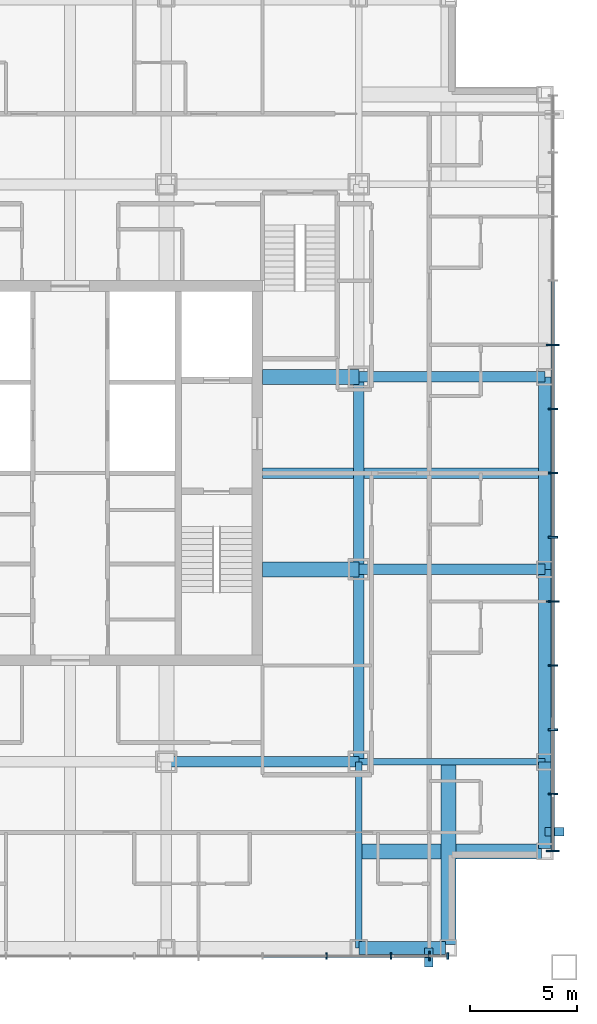
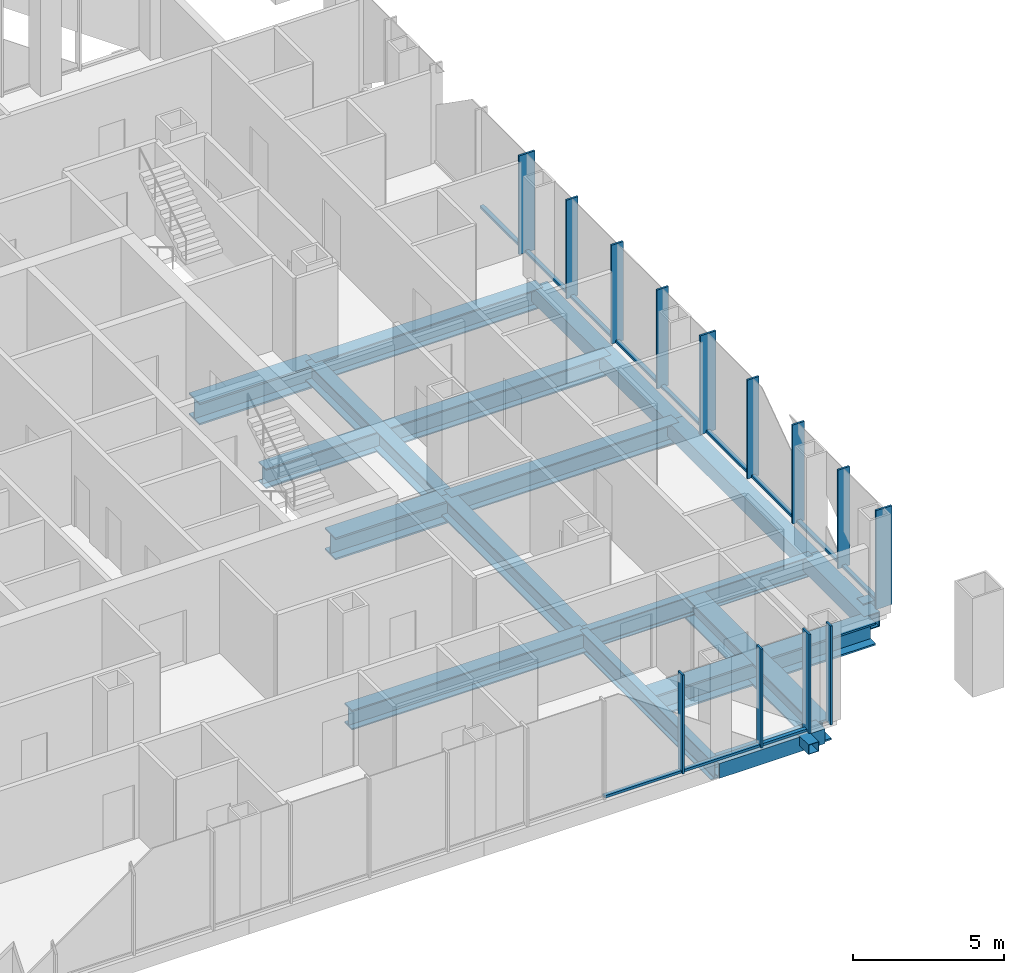
# One storey, part 3 of 15: 27 members, 16 beams, 2 elements without a shape of their own.
"""IFC4 building model written with IfcOpenShell, lengths in metres."""

from ifc_helpers import new_model, si_unit, direction, frame, origin, origin_2d, place, context, subcontext, project, spatial, rectangle, hollow_rectangle, i_section, extrude, material, layer, layer_set, material_profile, profile_set, type_object, element, aggregate, save


model = new_model("IFC4")

# Units and contexts
model_context = context("Model", 3, precision=1e-05, world=origin(), true_north=direction((0.0, 1.0)))
body_context = subcontext(model_context, "Body", "Model", "MODEL_VIEW")
ifc_project = project(units=[si_unit("LENGTHUNIT", "METRE"), si_unit("AREAUNIT", "SQUARE_METRE"), si_unit("VOLUMEUNIT", "CUBIC_METRE"), si_unit("PLANEANGLEUNIT", "RADIAN"), si_unit("MASSUNIT", "GRAM", prefix="KILO")], contexts=[model_context])

# Site, building, storey
site_placement = place(None, origin())
site = spatial("IfcSite", under=ifc_project, at=site_placement, CompositionType="ELEMENT")
building_placement = place(site_placement, origin())
building = spatial("IfcBuilding", under=site, at=building_placement, Name="Malebo Sky Hospital", CompositionType="ELEMENT")
storey_placement = place(building_placement, frame((0.0, 0.0, 181.0)))
storey = spatial("IfcBuildingStorey", under=building, at=storey_placement, Name="L43", CompositionType="ELEMENT", Elevation=181.0)

# Curtain wall, members
ifc_material_1 = material(Name="Anodised aluminium, natural silver", Category="aluminium")
ifc_layer_1 = layer(ifc_material_1, 0.25)
ifc_layer_set_1 = layer_set([ifc_layer_1], Name="WARD CURTAIN WALL NORTH AND SOUTH")
curtain_wall_type_1 = type_object("IfcCurtainWallType", Name="WARD CURTAIN WALL NORTH AND SOUTH", PredefinedType="NOTDEFINED", material=ifc_layer_set_1)
curtain_wall_1_placement = place(storey_placement, origin())
curtain_wall_1 = element("IfcCurtainWall", 1, at=curtain_wall_1_placement, inside=storey, type_object=curtain_wall_type_1, Name="NS curtain wall S", PredefinedType="NOTDEFINED")
ifc_material_profile_1 = material_profile(ifc_material_1, rectangle(XDim=0.14990234375, YDim=0.10009765625, at=origin_2d()), Name="ALUMINIUM TRANSOM 150x100")
ifc_profile_set_1 = profile_set([ifc_material_profile_1], Name="Anodised aluminium, natural silver")
member_type_1 = type_object("IfcMemberType", Name="ALUMINIUM TRANSOM 150x100", PredefinedType="USERDEFINED", material=ifc_profile_set_1)
member_1_placement = place(storey_placement, frame((76.762451171875, 39.425048828125, 0.050048828125), z_axis=(-1.0, 0.0, 0.0), x_axis=(0.0, -1.0, 0.0)))
member_1 = element("IfcMember", 2, at=member_1_placement, type_object=member_type_1, Name="Transom 2", ObjectType="TRANSOM", PredefinedType="USERDEFINED", context=body_context, shape_type="SweptSolid", body=[
    extrude(rectangle(XDim=0.14990234375, YDim=0.10009765625, at=origin_2d()), origin(), (0.0, 0.0, 1.0), 1.724853515625),
])
member_2_placement = place(storey_placement, frame((74.96240234375, 39.425048828125, 0.050048828125), z_axis=(-1.0, 0.0, 0.0), x_axis=(0.0, -1.0, 0.0)))
member_2 = element("IfcMember", 3, at=member_2_placement, type_object=member_type_1, Name="Transom 3", ObjectType="TRANSOM", PredefinedType="USERDEFINED", context=body_context, shape_type="SweptSolid", body=[
    extrude(rectangle(XDim=0.14990234375, YDim=0.10009765625, at=origin_2d()), origin(), (0.0, 0.0, 1.0), 2.9248046875),
])
member_3_placement = place(storey_placement, frame((71.96240234375, 39.425048828125, 0.050048828125), z_axis=(-1.0, 0.0, 0.0), x_axis=(0.0, -1.0, 0.0)))
member_3 = element("IfcMember", 4, at=member_3_placement, type_object=member_type_1, Name="Transom 4", ObjectType="TRANSOM", PredefinedType="USERDEFINED", context=body_context, shape_type="SweptSolid", body=[
    extrude(rectangle(XDim=0.14990234375, YDim=0.10009765625, at=origin_2d()), origin(), (0.0, 0.0, 1.0), 2.9248046875),
])

ifc_layer_2 = layer(ifc_material_1, 0.25)
ifc_layer_set_2 = layer_set([ifc_layer_2], Name="WARD CURTAIN WALL EAST AND WEST")
curtain_wall_type_2 = type_object("IfcCurtainWallType", Name="WARD CURTAIN WALL EAST AND WEST", PredefinedType="NOTDEFINED", material=ifc_layer_set_2)
curtain_wall_2_placement = place(storey_placement, origin())
curtain_wall_2 = element("IfcCurtainWall", 5, at=curtain_wall_2_placement, inside=storey, type_object=curtain_wall_type_2, Name="EW curtain wall E", PredefinedType="NOTDEFINED")
member_4_placement = place(storey_placement, frame((82.574951171875, 70.96240234375, 0.050048828125), z_axis=(0.0, -1.0, 0.0), x_axis=(1.0, 0.0, 0.0)))
member_4 = element("IfcMember", 6, at=member_4_placement, type_object=member_type_1, Name="Transom 5", ObjectType="TRANSOM", PredefinedType="USERDEFINED", context=body_context, shape_type="SweptSolid", body=[
    extrude(rectangle(XDim=0.14990234375, YDim=0.10009765625, at=origin_2d()), origin(), (0.0, 0.0, 1.0), 2.9248046875),
])
member_5_placement = place(storey_placement, frame((82.574951171875, 67.96240234375, 0.050048828125), z_axis=(0.0, -1.0, 0.0), x_axis=(1.0, 0.0, 0.0)))
member_5 = element("IfcMember", 7, at=member_5_placement, type_object=member_type_1, Name="Transom 6", ObjectType="TRANSOM", PredefinedType="USERDEFINED", context=body_context, shape_type="SweptSolid", body=[
    extrude(rectangle(XDim=0.14990234375, YDim=0.10009765625, at=origin_2d()), origin(), (0.0, 0.0, 1.0), 2.9248046875),
])
member_6_placement = place(storey_placement, frame((82.574951171875, 64.96240234375, 0.050048828125), z_axis=(0.0, -1.0, 0.0), x_axis=(1.0, 0.0, 0.0)))
member_6 = element("IfcMember", 8, at=member_6_placement, type_object=member_type_1, Name="Transom 7", ObjectType="TRANSOM", PredefinedType="USERDEFINED", context=body_context, shape_type="SweptSolid", body=[
    extrude(rectangle(XDim=0.14990234375, YDim=0.10009765625, at=origin_2d()), origin(), (0.0, 0.0, 1.0), 2.9248046875),
])
member_7_placement = place(storey_placement, frame((82.574951171875, 61.96240234375, 0.050048828125), z_axis=(0.0, -1.0, 0.0), x_axis=(1.0, 0.0, 0.0)))
member_7 = element("IfcMember", 9, at=member_7_placement, type_object=member_type_1, Name="Transom 8", ObjectType="TRANSOM", PredefinedType="USERDEFINED", context=body_context, shape_type="SweptSolid", body=[
    extrude(rectangle(XDim=0.14990234375, YDim=0.10009765625, at=origin_2d()), origin(), (0.0, 0.0, 1.0), 2.9248046875),
])
member_8_placement = place(storey_placement, frame((82.574951171875, 58.96240234375, 0.050048828125), z_axis=(0.0, -1.0, 0.0), x_axis=(1.0, 0.0, 0.0)))
member_8 = element("IfcMember", 10, at=member_8_placement, type_object=member_type_1, Name="Transom 9", ObjectType="TRANSOM", PredefinedType="USERDEFINED", context=body_context, shape_type="SweptSolid", body=[
    extrude(rectangle(XDim=0.14990234375, YDim=0.10009765625, at=origin_2d()), origin(), (0.0, 0.0, 1.0), 2.9248046875),
])
member_9_placement = place(storey_placement, frame((82.574951171875, 55.96240234375, 0.050048828125), z_axis=(0.0, -1.0, 0.0), x_axis=(1.0, 0.0, 0.0)))
member_9 = element("IfcMember", 11, at=member_9_placement, type_object=member_type_1, Name="Transom 10", ObjectType="TRANSOM", PredefinedType="USERDEFINED", context=body_context, shape_type="SweptSolid", body=[
    extrude(rectangle(XDim=0.14990234375, YDim=0.10009765625, at=origin_2d()), origin(), (0.0, 0.0, 1.0), 2.9248046875),
])
member_10_placement = place(storey_placement, frame((82.574951171875, 52.96240234375, 0.050048828125), z_axis=(0.0, -1.0, 0.0), x_axis=(1.0, 0.0, 0.0)))
member_10 = element("IfcMember", 12, at=member_10_placement, type_object=member_type_1, Name="Transom 11", ObjectType="TRANSOM", PredefinedType="USERDEFINED", context=body_context, shape_type="SweptSolid", body=[
    extrude(rectangle(XDim=0.14990234375, YDim=0.10009765625, at=origin_2d()), origin(), (0.0, 0.0, 1.0), 2.9248046875),
])
member_11_placement = place(storey_placement, frame((82.574951171875, 49.96240234375, 0.050048828125), z_axis=(0.0, -1.0, 0.0), x_axis=(1.0, 0.0, 0.0)))
member_11 = element("IfcMember", 13, at=member_11_placement, type_object=member_type_1, Name="Transom 12", ObjectType="TRANSOM", PredefinedType="USERDEFINED", context=body_context, shape_type="SweptSolid", body=[
    extrude(rectangle(XDim=0.14990234375, YDim=0.10009765625, at=origin_2d()), origin(), (0.0, 0.0, 1.0), 2.9248046875),
])
member_12_placement = place(storey_placement, frame((82.574951171875, 46.96240234375, 0.050048828125), z_axis=(0.0, -1.0, 0.0), x_axis=(1.0, 0.0, 0.0)))
member_12 = element("IfcMember", 14, at=member_12_placement, type_object=member_type_1, Name="Transom 13", ObjectType="TRANSOM", PredefinedType="USERDEFINED", context=body_context, shape_type="SweptSolid", body=[
    extrude(rectangle(XDim=0.14990234375, YDim=0.10009765625, at=origin_2d()), origin(), (0.0, 0.0, 1.0), 2.58740234375),
])

# Members
ifc_material_2 = material(Name="Steel S355", Category="steel")
ifc_material_profile_2 = material_profile(ifc_material_2, hollow_rectangle(XDim=0.39990234375, YDim=0.39990234375, WallThickness=0.02001953125, at=origin_2d()), Name="SHS 400x20")
ifc_profile_set_2 = profile_set([ifc_material_profile_2], Name="Steel S355")
member_type_2 = type_object("IfcMemberType", Name="BRACE STRUT SHS 400x20", PredefinedType="STRUT", material=ifc_profile_set_2)
for number, where, z_axis, x_axis, name in (
    (15, (76.764404296875, 38.89990234375, -0.39990234375), (0.0, 1.0, 0.0), (-1.0, 0.0, 0.0), "Brace strut CS2 L43"),
    (16, (83.10009765625, 45.235595703125, -0.39990234375), (-1.0, 0.0, 0.0), (0.0, -1.0, 0.0), "Brace strut CE1 L43"),
):
    element("IfcMember", number, at=place(storey_placement, frame(where, z_axis=z_axis, x_axis=x_axis)), inside=storey, type_object=member_type_2, Name=name, PredefinedType="STRUT", context=body_context, shape_type="SweptSolid", body=[
        extrude(hollow_rectangle(XDim=0.39990234375, YDim=0.39990234375, WallThickness=0.02001953125, at=origin_2d()), origin(), (0.0, 0.0, 1.0), 0.900146484375),
    ])

# Member
ifc_material_profile_3 = material_profile(ifc_material_1, rectangle(XDim=0.074951171875, YDim=0.300048828125, at=origin_2d()), Name="CW1 ALUMINIUM FIN MULLION 75x300")
ifc_profile_set_3 = profile_set([ifc_material_profile_3], Name="Anodised aluminium, natural silver")
member_type_3 = type_object("IfcMemberType", Name="CW1 ALUMINIUM FIN MULLION 75x300", PredefinedType="MULLION", material=ifc_profile_set_3)
member_13_placement = place(storey_placement, frame((77.66259765625, 39.425048828125, 0.0), z_axis=(0.0, 0.0, 1.0), x_axis=(-1.0, 0.0, 0.0)))
member_13 = element("IfcMember", 17, at=member_13_placement, type_object=member_type_3, Name="Fin mullion 1", PredefinedType="MULLION", context=body_context, shape_type="SweptSolid", body=[
    extrude(rectangle(XDim=0.074951171875, YDim=0.300048828125, at=origin_2d()), origin(), (0.0, 0.0, 1.0), 4.0),
])

member_14_placement = place(storey_placement, frame((75.0, 39.425048828125, 0.0), z_axis=(0.0, 0.0, 1.0), x_axis=(-1.0, 0.0, 0.0)))
member_14 = element("IfcMember", 18, at=member_14_placement, type_object=member_type_3, Name="Fin mullion 3", PredefinedType="MULLION", context=body_context, shape_type="SweptSolid", body=[
    extrude(rectangle(XDim=0.074951171875, YDim=0.300048828125, at=origin_2d()), origin(), (0.0, 0.0, 1.0), 4.0),
])

member_15_placement = place(storey_placement, frame((72.0, 39.425048828125, 0.0), z_axis=(0.0, 0.0, 1.0), x_axis=(-1.0, 0.0, 0.0)))
member_15 = element("IfcMember", 19, at=member_15_placement, type_object=member_type_3, Name="Fin mullion 4", PredefinedType="MULLION", context=body_context, shape_type="SweptSolid", body=[
    extrude(rectangle(XDim=0.074951171875, YDim=0.300048828125, at=origin_2d()), origin(), (0.0, 0.0, 1.0), 4.0),
])

ifc_material_profile_4 = material_profile(ifc_material_1, rectangle(XDim=0.074951171875, YDim=0.449951171875, at=origin_2d()), Name="CW1 ALUMINIUM FIN MULLION 75x450")
ifc_profile_set_4 = profile_set([ifc_material_profile_4], Name="Anodised aluminium, natural silver")
member_type_4 = type_object("IfcMemberType", Name="CW1 ALUMINIUM FIN MULLION 75x450", PredefinedType="MULLION", material=ifc_profile_set_4)
member_16_placement = place(storey_placement, frame((76.800048828125, 39.425048828125, 0.0), z_axis=(0.0, 0.0, 1.0), x_axis=(-1.0, 0.0, 0.0)))
member_16 = element("IfcMember", 20, at=member_16_placement, type_object=member_type_4, Name="Fin mullion 2", PredefinedType="MULLION", context=body_context, shape_type="SweptSolid", body=[
    extrude(rectangle(XDim=0.074951171875, YDim=0.449951171875, at=origin_2d()), origin(), (0.0, 0.0, 1.0), 4.0),
])

aggregate(curtain_wall_1, [member_13, member_16, member_14, member_15, member_1, member_2, member_3])

ifc_material_profile_5 = material_profile(ifc_material_1, rectangle(XDim=0.074951171875, YDim=0.449951171875, at=origin_2d()), Name="CW2 ALUMINIUM FIN MULLION 75x450")
ifc_profile_set_5 = profile_set([ifc_material_profile_5], Name="Anodised aluminium, natural silver")
member_type_5 = type_object("IfcMemberType", Name="CW2 ALUMINIUM FIN MULLION 75x450", PredefinedType="MULLION", material=ifc_profile_set_5)
member_17_placement = place(storey_placement, frame((82.574951171875, 65.0, 0.0), z_axis=(0.0, 0.0, 1.0), x_axis=(0.0, -1.0, 0.0)))
member_17 = element("IfcMember", 21, at=member_17_placement, type_object=member_type_5, Name="Fin mullion 7", PredefinedType="MULLION", context=body_context, shape_type="SweptSolid", body=[
    extrude(rectangle(XDim=0.074951171875, YDim=0.449951171875, at=origin_2d()), origin(), (0.0, 0.0, 1.0), 4.0),
])

member_18_placement = place(storey_placement, frame((82.574951171875, 62.0, 0.0), z_axis=(0.0, 0.0, 1.0), x_axis=(0.0, -1.0, 0.0)))
member_18 = element("IfcMember", 22, at=member_18_placement, type_object=member_type_5, Name="Fin mullion 8", PredefinedType="MULLION", context=body_context, shape_type="SweptSolid", body=[
    extrude(rectangle(XDim=0.074951171875, YDim=0.449951171875, at=origin_2d()), origin(), (0.0, 0.0, 1.0), 4.0),
])

member_19_placement = place(storey_placement, frame((82.574951171875, 59.0, 0.0), z_axis=(0.0, 0.0, 1.0), x_axis=(0.0, -1.0, 0.0)))
member_19 = element("IfcMember", 23, at=member_19_placement, type_object=member_type_5, Name="Fin mullion 9", PredefinedType="MULLION", context=body_context, shape_type="SweptSolid", body=[
    extrude(rectangle(XDim=0.074951171875, YDim=0.449951171875, at=origin_2d()), origin(), (0.0, 0.0, 1.0), 4.0),
])

member_20_placement = place(storey_placement, frame((82.574951171875, 53.0, 0.0), z_axis=(0.0, 0.0, 1.0), x_axis=(0.0, -1.0, 0.0)))
member_20 = element("IfcMember", 24, at=member_20_placement, type_object=member_type_5, Name="Fin mullion 11", PredefinedType="MULLION", context=body_context, shape_type="SweptSolid", body=[
    extrude(rectangle(XDim=0.074951171875, YDim=0.449951171875, at=origin_2d()), origin(), (0.0, 0.0, 1.0), 4.0),
])

member_21_placement = place(storey_placement, frame((82.574951171875, 50.0, 0.0), z_axis=(0.0, 0.0, 1.0), x_axis=(0.0, -1.0, 0.0)))
member_21 = element("IfcMember", 25, at=member_21_placement, type_object=member_type_5, Name="Fin mullion 12", PredefinedType="MULLION", context=body_context, shape_type="SweptSolid", body=[
    extrude(rectangle(XDim=0.074951171875, YDim=0.449951171875, at=origin_2d()), origin(), (0.0, 0.0, 1.0), 4.0),
])

member_22_placement = place(storey_placement, frame((82.574951171875, 47.0, 0.0), z_axis=(0.0, 0.0, 1.0), x_axis=(0.0, -1.0, 0.0)))
member_22 = element("IfcMember", 26, at=member_22_placement, type_object=member_type_5, Name="Fin mullion 13", PredefinedType="MULLION", context=body_context, shape_type="SweptSolid", body=[
    extrude(rectangle(XDim=0.074951171875, YDim=0.449951171875, at=origin_2d()), origin(), (0.0, 0.0, 1.0), 4.0),
])

ifc_material_profile_6 = material_profile(ifc_material_1, rectangle(XDim=0.074951171875, YDim=0.60009765625, at=origin_2d()), Name="CW2 ALUMINIUM FIN MULLION 75x600")
ifc_profile_set_6 = profile_set([ifc_material_profile_6], Name="Anodised aluminium, natural silver")
member_type_6 = type_object("IfcMemberType", Name="CW2 ALUMINIUM FIN MULLION 75x600", PredefinedType="MULLION", material=ifc_profile_set_6)
member_23_placement = place(storey_placement, frame((82.574951171875, 68.0, 0.0), z_axis=(0.0, 0.0, 1.0), x_axis=(0.0, -1.0, 0.0)))
member_23 = element("IfcMember", 27, at=member_23_placement, type_object=member_type_6, Name="Fin mullion 6", PredefinedType="MULLION", context=body_context, shape_type="SweptSolid", body=[
    extrude(rectangle(XDim=0.074951171875, YDim=0.60009765625, at=origin_2d()), origin(), (0.0, 0.0, 1.0), 4.0),
])

member_24_placement = place(storey_placement, frame((82.574951171875, 56.0, 0.0), z_axis=(0.0, 0.0, 1.0), x_axis=(0.0, -1.0, 0.0)))
member_24 = element("IfcMember", 28, at=member_24_placement, type_object=member_type_6, Name="Fin mullion 10", PredefinedType="MULLION", context=body_context, shape_type="SweptSolid", body=[
    extrude(rectangle(XDim=0.074951171875, YDim=0.60009765625, at=origin_2d()), origin(), (0.0, 0.0, 1.0), 4.0),
])

member_25_placement = place(storey_placement, frame((82.574951171875, 44.33740234375, 0.0), z_axis=(0.0, 0.0, 1.0), x_axis=(0.0, -1.0, 0.0)))
member_25 = element("IfcMember", 29, at=member_25_placement, type_object=member_type_6, Name="Fin mullion 14", PredefinedType="MULLION", context=body_context, shape_type="SweptSolid", body=[
    extrude(rectangle(XDim=0.074951171875, YDim=0.60009765625, at=origin_2d()), origin(), (0.0, 0.0, 1.0), 4.0),
])

aggregate(curtain_wall_2, [member_23, member_17, member_18, member_19, member_24, member_20, member_21, member_22, member_25, member_4, member_5, member_6, member_7, member_8, member_9, member_10, member_11, member_12])

# Beams
ifc_material_3 = material(Name="Steel S460", Category="steel")
ifc_material_profile_7 = material_profile(ifc_material_3, hollow_rectangle(XDim=0.60009765625, YDim=0.60009765625, WallThickness=0.0400390625, at=origin_2d()), Name="BOX 600x600x40")
ifc_profile_set_7 = profile_set([ifc_material_profile_7], Name="Steel S460")
beam_type_1 = type_object("IfcBeamType", Name="EDGE BEAM BOX 600x600x40", PredefinedType="BEAM", material=ifc_profile_set_7)
beam_1_placement = place(storey_placement, frame((82.199951171875, 44.449951171875, -0.550048828125), z_axis=(0.0, 1.0, 0.0), x_axis=(-1.0, 0.0, 0.0)))
element("IfcBeam", 30, at=beam_1_placement, inside=storey, type_object=beam_type_1, Name="Beam 029 L43", PredefinedType="BEAM", context=body_context, shape_type="SweptSolid", body=[
    extrude(hollow_rectangle(XDim=0.60009765625, YDim=0.60009765625, WallThickness=0.0400390625, at=origin_2d()), origin(), (0.0, 0.0, 1.0), 4.050048828125),
])
for number, where, z_axis, x_axis, name in (
    (31, (82.199951171875, 48.5, -0.550048828125), (0.0, 1.0, 0.0), (-1.0, 0.0, 0.0), "Beam 030 L43"),
    (32, (82.199951171875, 57.5, -0.550048828125), (0.0, 1.0, 0.0), (-1.0, 0.0, 0.0), "Beam 031 L43"),
):
    element("IfcBeam", number, at=place(storey_placement, frame(where, z_axis=z_axis, x_axis=x_axis)), inside=storey, type_object=beam_type_1, Name=name, PredefinedType="BEAM", context=body_context, shape_type="SweptSolid", body=[
        extrude(hollow_rectangle(XDim=0.60009765625, YDim=0.60009765625, WallThickness=0.0400390625, at=origin_2d()), origin(), (0.0, 0.0, 1.0), 9.0),
    ])
beam_2_placement = place(storey_placement, frame((73.5, 39.800048828125, -0.550048828125), z_axis=(1.0, 0.0, 0.0), x_axis=(0.0, 1.0, 0.0)))
element("IfcBeam", 33, at=beam_2_placement, inside=storey, type_object=beam_type_1, Name="Beam 038 L43", PredefinedType="BEAM", context=body_context, shape_type="SweptSolid", body=[
    extrude(hollow_rectangle(XDim=0.60009765625, YDim=0.60009765625, WallThickness=0.0400390625, at=origin_2d()), origin(), (0.0, 0.0, 1.0), 4.050048828125),
])
ifc_material_profile_8 = material_profile(ifc_material_2, i_section(OverallWidth=0.5, OverallDepth=0.800048828125, WebThickness=0.030029296875, FlangeThickness=0.050048828125, at=origin_2d()), Name="PG 800x500x30x50")
ifc_profile_set_8 = profile_set([ifc_material_profile_8], Name="Steel S355")
beam_type_2 = type_object("IfcBeamType", Name="FLOOR BEAM PG 800x500x30x50", PredefinedType="BEAM", material=ifc_profile_set_8)
for number, where, z_axis, x_axis, name in (
    (34, (73.5, 48.5, -0.64990234375), (0.0, 1.0, 0.0), (-1.0, 0.0, 0.0), "Beam 023 L43"),
    (35, (64.5, 48.5, -0.64990234375), (1.0, 0.0, 0.0), (0.0, 1.0, 0.0), "Beam 044 L43"),
):
    element("IfcBeam", number, at=place(storey_placement, frame(where, z_axis=z_axis, x_axis=x_axis)), inside=storey, type_object=beam_type_2, Name=name, PredefinedType="BEAM", context=body_context, shape_type="SweptSolid", body=[
        extrude(i_section(OverallWidth=0.5, OverallDepth=0.800048828125, WebThickness=0.030029296875, FlangeThickness=0.050048828125, at=origin_2d()), origin(), (0.0, 0.0, 1.0), 9.0),
    ])
beam_3_placement = place(storey_placement, frame((73.5, 57.5, -0.64990234375), z_axis=(1.0, 0.0, 0.0), x_axis=(0.0, 1.0, 0.0)))
element("IfcBeam", 36, at=beam_3_placement, inside=storey, type_object=beam_type_2, Name="Beam 049 L43", PredefinedType="BEAM", context=body_context, shape_type="SweptSolid", body=[
    extrude(i_section(OverallWidth=0.5, OverallDepth=0.800048828125, WebThickness=0.030029296875, FlangeThickness=0.050048828125, at=origin_2d()), origin(), (0.0, 0.0, 1.0), 8.699951171875),
])
beam_4_placement = place(storey_placement, frame((69.0, 62.0, -0.64990234375), z_axis=(1.0, 0.0, 0.0), x_axis=(0.0, 1.0, 0.0)))
element("IfcBeam", 37, at=beam_4_placement, inside=storey, type_object=beam_type_2, Name="Beam 051 L43", PredefinedType="BEAM", context=body_context, shape_type="SweptSolid", body=[
    extrude(i_section(OverallWidth=0.5, OverallDepth=0.800048828125, WebThickness=0.030029296875, FlangeThickness=0.050048828125, at=origin_2d()), origin(), (0.0, 0.0, 1.0), 13.199951171875),
])
beam_5_placement = place(storey_placement, frame((73.5, 66.5, -0.64990234375), z_axis=(1.0, 0.0, 0.0), x_axis=(0.0, 1.0, 0.0)))
element("IfcBeam", 38, at=beam_5_placement, inside=storey, type_object=beam_type_2, Name="Beam 055 L43", PredefinedType="BEAM", context=body_context, shape_type="SweptSolid", body=[
    extrude(i_section(OverallWidth=0.5, OverallDepth=0.800048828125, WebThickness=0.030029296875, FlangeThickness=0.050048828125, at=origin_2d()), origin(), (0.0, 0.0, 1.0), 8.699951171875),
])
ifc_material_profile_9 = material_profile(ifc_material_2, i_section(OverallWidth=0.699951171875, OverallDepth=0.89990234375, WebThickness=0.0400390625, FlangeThickness=0.070068359375, at=origin_2d()), Name="PG 900x700x40x70")
ifc_profile_set_9 = profile_set([ifc_material_profile_9], Name="Steel S355")
beam_type_3 = type_object("IfcBeamType", Name="FLOOR BEAM PG 900x700x40x70", PredefinedType="BEAM", material=ifc_profile_set_9)
for number, where, z_axis, x_axis, name in (
    (39, (77.699951171875, 39.949951171875, -0.699951171875), (0.0, 1.0, 0.0), (-1.0, 0.0, 0.0), "Beam 027 L43"),
    (40, (73.5, 44.300048828125, -0.699951171875), (1.0, 0.0, 0.0), (0.0, 1.0, 0.0), "Beam 040 L43"),
):
    element("IfcBeam", number, at=place(storey_placement, frame(where, z_axis=z_axis, x_axis=x_axis)), inside=storey, type_object=beam_type_3, Name=name, PredefinedType="BEAM", context=body_context, shape_type="SweptSolid", body=[
        extrude(i_section(OverallWidth=0.699951171875, OverallDepth=0.89990234375, WebThickness=0.0400390625, FlangeThickness=0.070068359375, at=origin_2d()), origin(), (0.0, 0.0, 1.0), 8.550048828125),
    ])
for number, where, z_axis, x_axis, name in (
    (41, (69.0, 57.5, -0.699951171875), (1.0, 0.0, 0.0), (0.0, 1.0, 0.0), "Beam 048 L43"),
    (42, (69.0, 66.5, -0.699951171875), (1.0, 0.0, 0.0), (0.0, 1.0, 0.0), "Beam 054 L43"),
):
    element("IfcBeam", number, at=place(storey_placement, frame(where, z_axis=z_axis, x_axis=x_axis)), inside=storey, type_object=beam_type_3, Name=name, PredefinedType="BEAM", context=body_context, shape_type="SweptSolid", body=[
        extrude(i_section(OverallWidth=0.699951171875, OverallDepth=0.89990234375, WebThickness=0.0400390625, FlangeThickness=0.070068359375, at=origin_2d()), origin(), (0.0, 0.0, 1.0), 4.5),
    ])
ifc_material_profile_10 = material_profile(ifc_material_2, i_section(OverallWidth=0.300048828125, OverallDepth=0.800048828125, WebThickness=0.017578125, FlangeThickness=0.032958984375, FilletRadius=0.030029296875, at=origin_2d()), Name="HEB 800")
ifc_profile_set_10 = profile_set([ifc_material_profile_10], Name="Steel S355")
beam_type_4 = type_object("IfcBeamType", Name="FLOOR GIRDER HEB 800", PredefinedType="BEAM", material=ifc_profile_set_10)
for number, where, z_axis, x_axis, name in (
    (43, (73.5, 39.800048828125, -0.64990234375), (0.0, 1.0, 0.0), (-1.0, 0.0, 0.0), "Beam 022 L43"),
    (44, (73.5, 48.5, -0.64990234375), (1.0, 0.0, 0.0), (0.0, 1.0, 0.0), "Beam 045 L43"),
):
    element("IfcBeam", number, at=place(storey_placement, frame(where, z_axis=z_axis, x_axis=x_axis)), inside=storey, type_object=beam_type_4, Name=name, PredefinedType="BEAM", context=body_context, shape_type="SweptSolid", body=[
        extrude(i_section(OverallWidth=0.300048828125, OverallDepth=0.800048828125, WebThickness=0.017578125, FlangeThickness=0.032958984375, FilletRadius=0.030029296875, at=origin_2d()), origin(), (0.0, 0.0, 1.0), 8.699951171875),
    ])
ifc_material_profile_11 = material_profile(ifc_material_2, i_section(OverallWidth=0.5, OverallDepth=0.800048828125, WebThickness=0.030029296875, FlangeThickness=0.050048828125, at=origin_2d()), Name="PG 800x500x30x50")
ifc_profile_set_11 = profile_set([ifc_material_profile_11], Name="Steel S355")
beam_type_5 = type_object("IfcBeamType", Name="RING GIRDER PG 800x500x30x50", PredefinedType="BEAM", material=ifc_profile_set_11)
beam_6_placement = place(storey_placement, frame((73.5, 57.5, -0.64990234375), z_axis=(0.0, 1.0, 0.0), x_axis=(-1.0, 0.0, 0.0)))
element("IfcBeam", 45, at=beam_6_placement, inside=storey, type_object=beam_type_5, Name="Beam 024 L43", PredefinedType="BEAM", context=body_context, shape_type="SweptSolid", body=[
    extrude(i_section(OverallWidth=0.5, OverallDepth=0.800048828125, WebThickness=0.030029296875, FlangeThickness=0.050048828125, at=origin_2d()), origin(), (0.0, 0.0, 1.0), 9.0),
])

save(model, "model.ifc")
